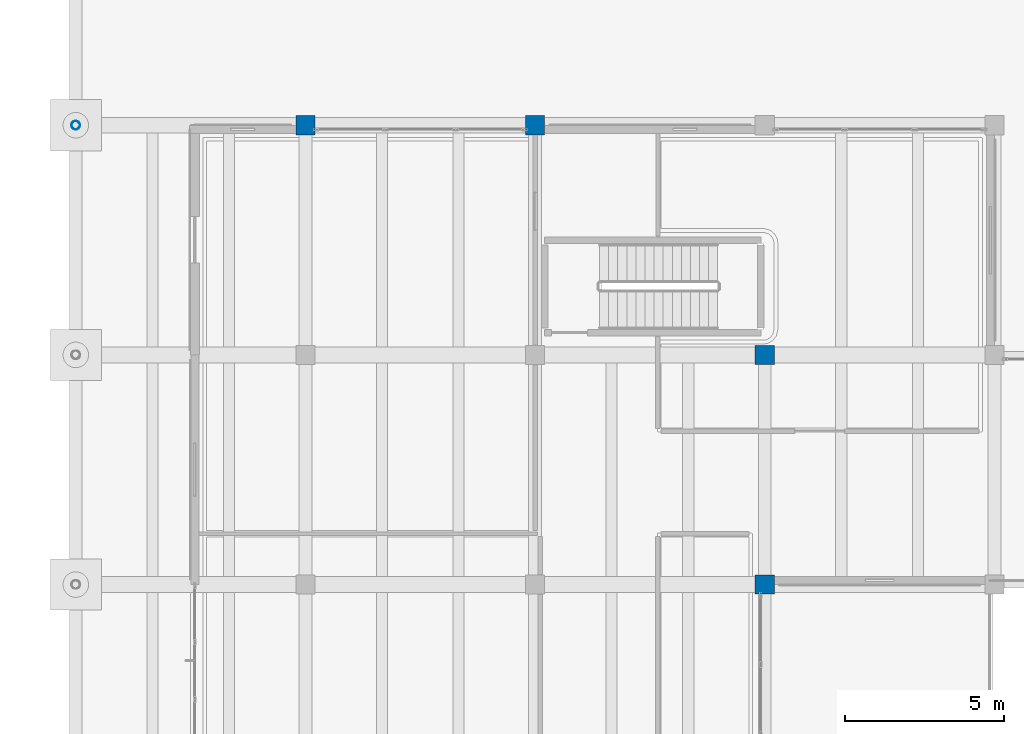
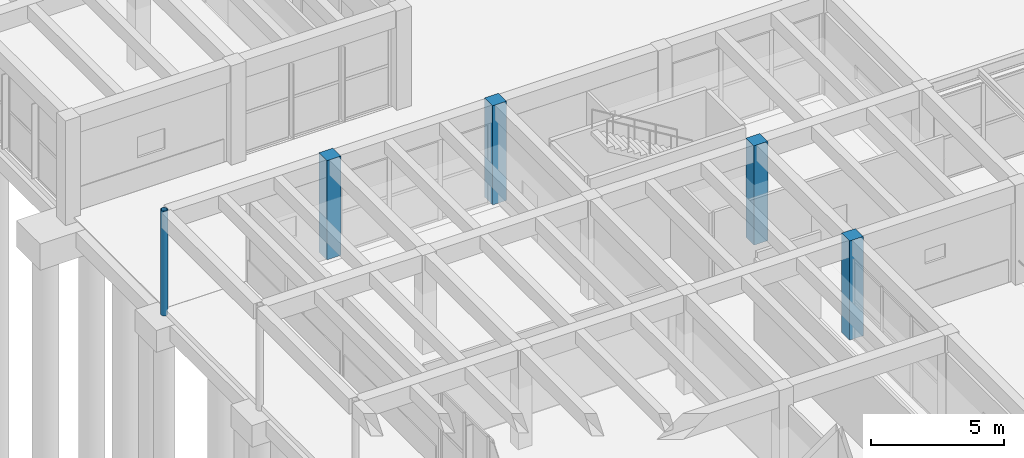
# One storey, part 8 of 155: 5 columns.
"""IFC4 building model written with IfcOpenShell, lengths in metres."""

from ifc_helpers import new_model, si_unit, direction, frame, origin, origin_2d, place, context, subcontext, project, spatial, rectangle, hollow_circle, extrude, material, material_profile, profile_set, type_object, element, save


model = new_model("IFC4")

# Units and contexts
model_context = context("Model", 3, precision=1e-05, world=origin(), true_north=direction((0.0, 1.0)))
body_context = subcontext(model_context, "Body", "Model", "MODEL_VIEW")
ifc_project = project(units=[si_unit("LENGTHUNIT", "METRE"), si_unit("AREAUNIT", "SQUARE_METRE"), si_unit("VOLUMEUNIT", "CUBIC_METRE"), si_unit("PLANEANGLEUNIT", "RADIAN"), si_unit("MASSUNIT", "GRAM", prefix="KILO")], contexts=[model_context])

# Site, building, storey
site_placement = place(None, origin())
site = spatial("IfcSite", under=ifc_project, at=site_placement, CompositionType="ELEMENT")
building_placement = place(site_placement, origin())
building = spatial("IfcBuilding", under=site, at=building_placement, Name="Bramvelor Terrace Health Centre", CompositionType="ELEMENT")
storey_placement = place(building_placement, origin())
storey = spatial("IfcBuildingStorey", under=building, at=storey_placement, Name="L01", CompositionType="ELEMENT", Elevation=0.0)

# Columns
ifc_material_1 = material(Name="Concrete C40/50", Category="concrete")
ifc_material_profile_1 = material_profile(ifc_material_1, rectangle(XDim=0.60009765625, YDim=0.60009765625, at=origin_2d()), Name="RC 600x600")
ifc_profile_set_1 = profile_set([ifc_material_profile_1], Name="Concrete C40/50")
column_type_1 = type_object("IfcColumnType", Name="COL-RC-600", PredefinedType="COLUMN", material=ifc_profile_set_1)
for number, where, z_axis, x_axis, name in (
    (1, (7.199951171875, 64.800048828125, 0.0), (0.0, 0.0, 1.0), (1.0, 0.0, 0.0), "L01 Column (7.2, 64.8)"),
    (2, (14.39990234375, 64.800048828125, 0.0), (0.0, 0.0, 1.0), (1.0, 0.0, 0.0), "L01 Column (14.4, 64.8)"),
    (3, (21.60009765625, 50.39990234375, 0.0), (0.0, 0.0, 1.0), (1.0, 0.0, 0.0), "L01 Column (21.6, 50.4)"),
    (4, (21.60009765625, 57.60009765625, 0.0), (0.0, 0.0, 1.0), (1.0, 0.0, 0.0), "L01 Column (21.6, 57.6)"),
):
    element("IfcColumn", number, at=place(storey_placement, frame(where, z_axis=z_axis, x_axis=x_axis)), inside=storey, type_object=column_type_1, Name=name, PredefinedType="COLUMN", context=body_context, shape_type="SweptSolid", body=[
        extrude(rectangle(XDim=0.60009765625, YDim=0.60009765625, at=origin_2d()), origin(), (0.0, 0.0, 1.0), 4.56005859375),
    ])
ifc_material_2 = material(Name="Steel S355J2", Category="steel")
ifc_material_profile_2 = material_profile(ifc_material_2, hollow_circle(Radius=0.136474609375, WallThickness=0.010009765625, at=origin_2d()), Name="CHS 273.0x10.0")
ifc_profile_set_2 = profile_set([ifc_material_profile_2], Name="Steel S355J2")
column_type_2 = type_object("IfcColumnType", Name="COL-STL-CHS273-EXT", PredefinedType="COLUMN", material=ifc_profile_set_2)
column_placement = place(storey_placement, frame((0.0, 64.800048828125, -0.25), z_axis=(0.0, 0.0, 1.0), x_axis=(1.0, 0.0, 0.0)))
element("IfcColumn", 5, at=column_placement, inside=storey, type_object=column_type_2, Name="L01 Column (0.0, 64.8)", PredefinedType="COLUMN", context=body_context, shape_type="SweptSolid", body=[
    extrude(hollow_circle(Radius=0.136474609375, WallThickness=0.010009765625, at=origin_2d()), origin(), (0.0, 0.0, 1.0), 4.81005859375),
])

save(model, "model.ifc")
